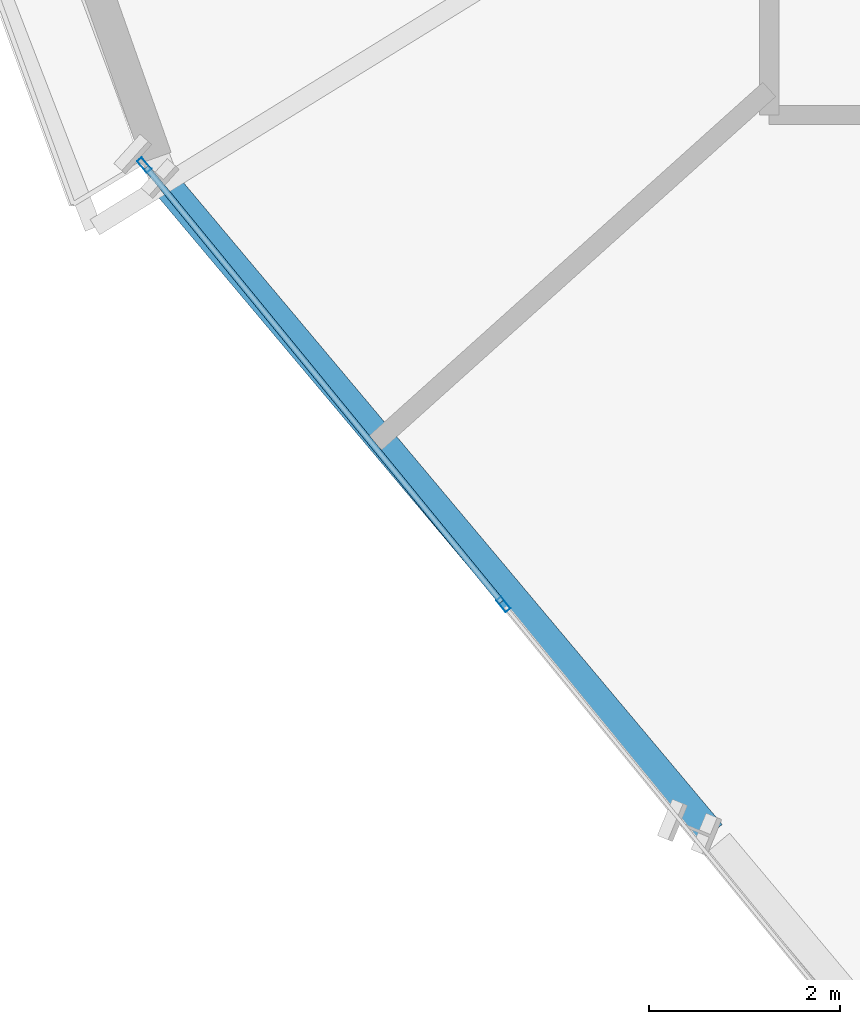
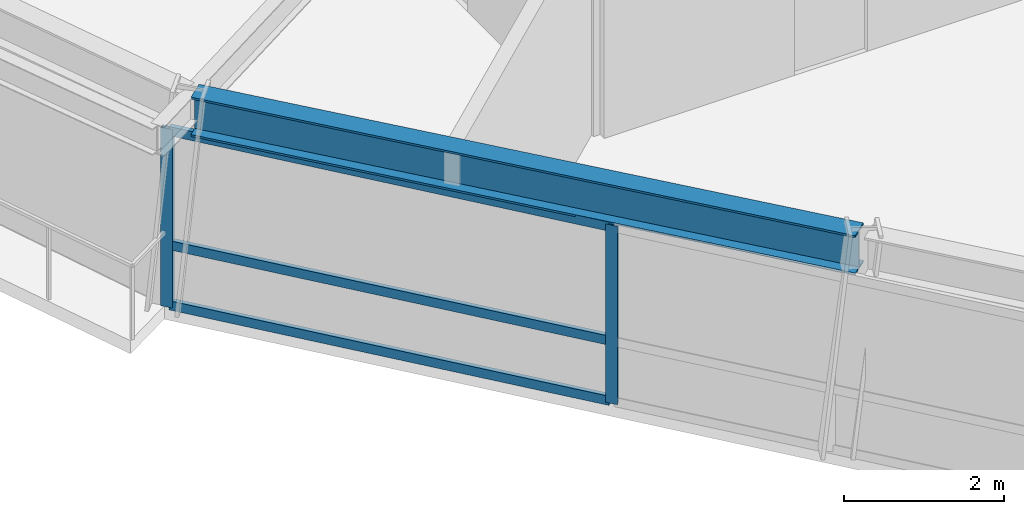
# One storey, part 3 of 15: 5 members, 1 beam, 1 element without a shape of its own.
"""IFC4 building model written with IfcOpenShell, lengths in metres."""

from ifc_helpers import new_model, si_unit, direction, frame, origin, origin_2d, place, context, subcontext, project, spatial, hollow_rectangle, i_section, extrude, source, transform, mapped, material, material_profile, profile_set, type_object, element, aggregate, save


model = new_model("IFC4")

# Units and contexts
model_context = context("Model", 3, precision=1e-05, world=origin(), true_north=direction((0.0, 1.0)))
body_context = subcontext(model_context, "Body", "Model", "MODEL_VIEW")
ifc_project = project(units=[si_unit("LENGTHUNIT", "METRE"), si_unit("AREAUNIT", "SQUARE_METRE"), si_unit("VOLUMEUNIT", "CUBIC_METRE"), si_unit("PLANEANGLEUNIT", "RADIAN"), si_unit("MASSUNIT", "GRAM", prefix="KILO")], contexts=[model_context])

# Site, building, storey
site_placement = place(None, origin())
site = spatial("IfcSite", under=ifc_project, at=site_placement, CompositionType="ELEMENT")
building_placement = place(site_placement, origin())
building = spatial("IfcBuilding", under=site, at=building_placement, Name="Olszyna Solenne Hotel", CompositionType="ELEMENT")
storey_placement = place(building_placement, frame((0.0, 0.0, 160.800048828125)))
storey = spatial("IfcBuildingStorey", under=building, at=storey_placement, Name="L42", CompositionType="ELEMENT", Elevation=160.800048828125)

# Beam
ifc_material_1 = material(Name="Steel S355J2", Category="steel")
ifc_material_profile_1 = material_profile(ifc_material_1, i_section(OverallWidth=0.300048828125, OverallDepth=0.60009765625, WebThickness=0.015380859375, FlangeThickness=0.030029296875, at=origin_2d()), Name="HEB 600", Category="load-bearing")
ifc_profile_set_1 = profile_set([ifc_material_profile_1], Name="Steel S355J2")
beam_type = type_object("IfcBeamType", Name="BM-S2", PredefinedType="BEAM", material=ifc_profile_set_1)
shared_shape_1 = source(origin(), body_context, "Body", "SweptSolid", [
    extrude(i_section(OverallWidth=0.300048828125, OverallDepth=0.60009765625, WebThickness=0.015380859375, FlangeThickness=0.030029296875, at=origin_2d()), origin(), (0.0, 0.0, 1.0), 8.834228515625),
])
beam_placement = place(storey_placement, frame((21.313232421875, 16.239013671875, 3.030029296875), z_axis=(0.642909466982, -0.765942176189, 0.0), x_axis=(0.765942176189, 0.642909466982, 0.0)))
element("IfcBeam", 1, at=beam_placement, inside=storey, type_object=beam_type, Name="Perimeter spandrel beam BM-S2 B-L42-1251", PredefinedType="BEAM", context=body_context, shape_type="MappedRepresentation", body=[
    mapped(shared_shape_1, transform((0.0, 0.0, 0.0), x_axis=(1.0, 0.0, 0.0), y_axis=(0.0, 1.0, 0.0), z_axis=(0.0, 0.0, 1.0), scale=1.0)),
])

# Curtain wall, members
ifc_material_2 = material(Name="Anodised bronze aluminium", Category="aluminium")
curtain_wall_type = type_object("IfcCurtainWallType", Name="CW-SYS-4", PredefinedType="NOTDEFINED", material=ifc_material_2)
curtain_wall_placement = place(storey_placement, origin())
curtain_wall = element("IfcCurtainWall", 2, at=curtain_wall_placement, inside=storey, type_object=curtain_wall_type, Name="Unitised curtain wall CW-SYS-4 CW-L42-01", PredefinedType="NOTDEFINED")
ifc_material_profile_2 = material_profile(ifc_material_2, hollow_rectangle(XDim=0.06494140625, YDim=0.159912109375, WallThickness=0.00390625, at=origin_2d()), Name="MULL 160x65x4", Category="load-bearing")
ifc_profile_set_2 = profile_set([ifc_material_profile_2], Name="Anodised bronze aluminium")
member_type_1 = type_object("IfcMemberType", Name="CW-M3", PredefinedType="MULLION", material=ifc_profile_set_2)
shared_shape_2 = source(origin(), body_context, "Body", "SweptSolid", [
    extrude(hollow_rectangle(XDim=0.06494140625, YDim=0.159912109375, WallThickness=0.00390625, at=origin_2d()), origin(), (0.0, 0.0, 1.0), 2.721923828125),
])
member_1_placement = place(storey_placement, frame((21.0537109375, 16.476318359375, 0.0), z_axis=(0.0, 0.0, 1.0), x_axis=(0.774267616742, 0.632858323533, 0.0)))
member_1 = element("IfcMember", 3, at=member_1_placement, type_object=member_type_1, Name="Curtain-wall mullion CW-M3 CM-L42-01-01", PredefinedType="MULLION", context=body_context, shape_type="MappedRepresentation", body=[
    mapped(shared_shape_2, transform((0.0, 0.0, 0.0), x_axis=(1.0, 0.0, 0.0), y_axis=(0.0, 1.0, 0.0), z_axis=(0.0, 0.0, 1.0), scale=1.0)),
])
member_2_placement = place(storey_placement, frame((24.81494140625, 11.874755859375, 0.0), z_axis=(0.0, 0.0, 1.0), x_axis=(0.774267616742, 0.632858323533, 0.0)))
member_2 = element("IfcMember", 4, at=member_2_placement, type_object=member_type_1, Name="Curtain-wall mullion CW-M3 CM-L42-01-02", PredefinedType="MULLION", context=body_context, shape_type="MappedRepresentation", body=[
    mapped(shared_shape_2, transform((0.0, 0.0, 0.0), x_axis=(1.0, 0.0, 0.0), y_axis=(0.0, 1.0, 0.0), z_axis=(0.0, 0.0, 1.0), scale=1.0)),
])
ifc_material_profile_3 = material_profile(ifc_material_2, hollow_rectangle(XDim=0.06494140625, YDim=0.139892578125, WallThickness=0.00390625, at=origin_2d()), Name="TRAN 140x65x4", Category="load-bearing")
ifc_profile_set_3 = profile_set([ifc_material_profile_3], Name="Anodised bronze aluminium")
member_type_2 = type_object("IfcMemberType", Name="CW-T2", PredefinedType="USERDEFINED", material=ifc_profile_set_3)
shared_shape_3 = source(origin(), body_context, "Body", "SweptSolid", [
    extrude(hollow_rectangle(XDim=0.06494140625, YDim=0.139892578125, WallThickness=0.00390625, at=origin_2d()), origin(), (0.0, 0.0, 1.0), 5.878173828125),
])
member_3_placement = place(storey_placement, frame((21.07421875, 16.451171875, 0.032470703125), z_axis=(0.632875851647, -0.774253289565, 0.0), x_axis=(0.774253289565, 0.632875851647, 0.0)))
member_3 = element("IfcMember", 5, at=member_3_placement, type_object=member_type_2, Name="Curtain-wall transom CW-T2 CT-L42-01-01", ObjectType="TRANSOM", PredefinedType="USERDEFINED", context=body_context, shape_type="MappedRepresentation", body=[
    mapped(shared_shape_3, transform((0.0, 0.0, 0.0), x_axis=(1.0, 0.0, 0.0), y_axis=(0.0, 1.0, 0.0), z_axis=(0.0, 0.0, 1.0), scale=1.0)),
])
member_4_placement = place(storey_placement, frame((21.07421875, 16.451171875, 0.949951171875), z_axis=(0.632875851647, -0.774253289565, 0.0), x_axis=(0.774253289565, 0.632875851647, 0.0)))
member_4 = element("IfcMember", 6, at=member_4_placement, type_object=member_type_2, Name="Curtain-wall transom CW-T2 CT-L42-01-02", ObjectType="TRANSOM", PredefinedType="USERDEFINED", context=body_context, shape_type="MappedRepresentation", body=[
    mapped(shared_shape_3, transform((0.0, 0.0, 0.0), x_axis=(1.0, 0.0, 0.0), y_axis=(0.0, 1.0, 0.0), z_axis=(0.0, 0.0, 1.0), scale=1.0)),
])
member_5_placement = place(storey_placement, frame((21.07421875, 16.451171875, 2.689453125), z_axis=(0.632875851647, -0.774253289565, 0.0), x_axis=(0.774253289565, 0.632875851647, 0.0)))
member_5 = element("IfcMember", 7, at=member_5_placement, type_object=member_type_2, Name="Curtain-wall transom CW-T2 CT-L42-01-03", ObjectType="TRANSOM", PredefinedType="USERDEFINED", context=body_context, shape_type="MappedRepresentation", body=[
    mapped(shared_shape_3, transform((0.0, 0.0, 0.0), x_axis=(1.0, 0.0, 0.0), y_axis=(0.0, 1.0, 0.0), z_axis=(0.0, 0.0, 1.0), scale=1.0)),
])
aggregate(curtain_wall, [member_1, member_2, member_3, member_4, member_5])

save(model, "model.ifc")
